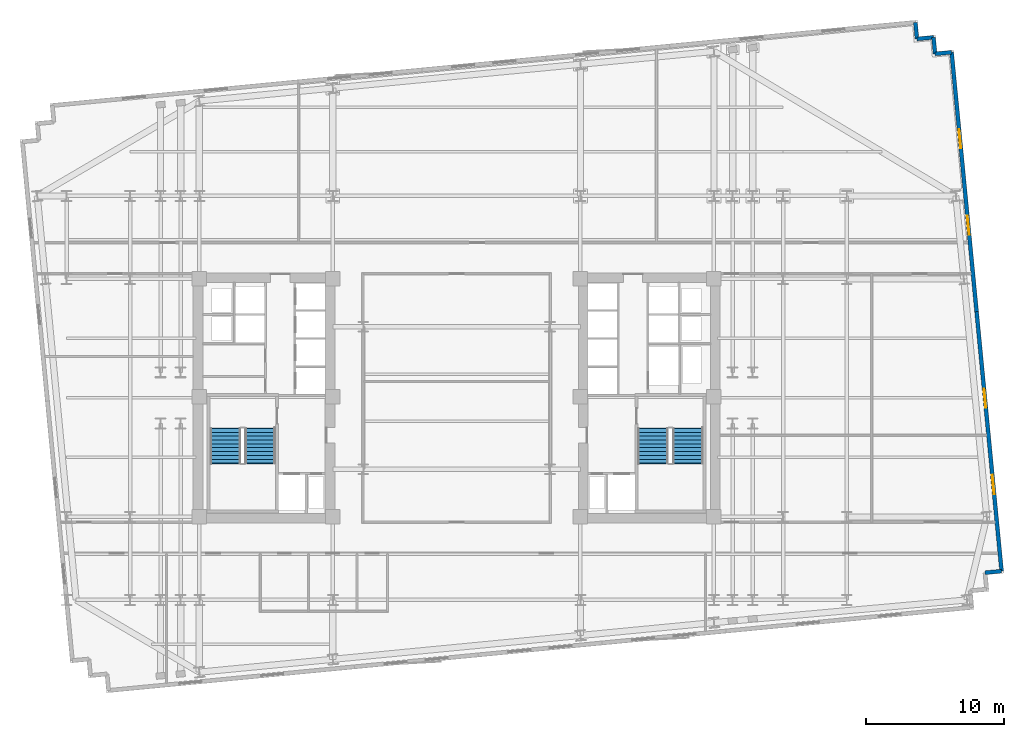
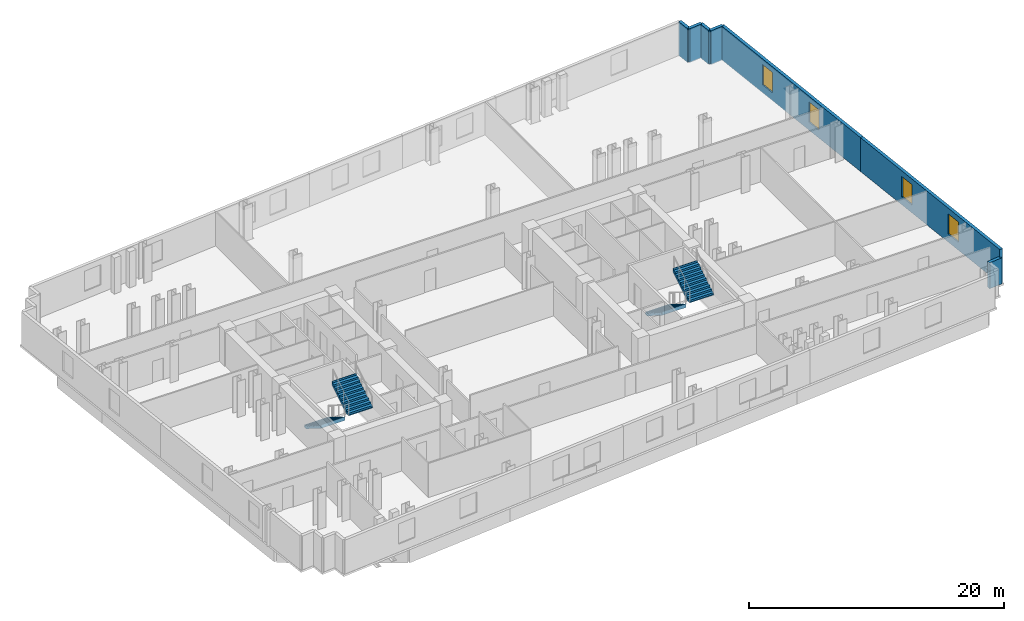
# One storey, part 8 of 10: 7 walls, 4 stair flights, 4 windows, 4 openings, 2 elements without a shape of their own.
"""IFC4 building model written with IfcOpenShell, lengths in metres."""

from ifc_helpers import new_model, si_unit, direction, frame, frame_2d, origin, place, context, subcontext, project, spatial, polyline, rectangle, outline, extrude, material, layer, layer_set, type_object, element, fill, aggregate, save


model = new_model("IFC4")

# Units and contexts
model_context = context("Model", 3, precision=1e-05, world=origin(), true_north=direction((0.0, 1.0)))
body_context = subcontext(model_context, "Body", "Model", "MODEL_VIEW")
ifc_project = project(units=[si_unit("LENGTHUNIT", "METRE"), si_unit("AREAUNIT", "SQUARE_METRE"), si_unit("VOLUMEUNIT", "CUBIC_METRE"), si_unit("PLANEANGLEUNIT", "RADIAN"), si_unit("MASSUNIT", "GRAM", prefix="KILO")], contexts=[model_context])

# Site, building, storey
site_placement = place(None, origin())
site = spatial("IfcSite", under=ifc_project, at=site_placement, CompositionType="ELEMENT")
building_placement = place(site_placement, origin())
building = spatial("IfcBuilding", under=site, at=building_placement, Name="Velakula Bourse", CompositionType="ELEMENT")
storey_placement = place(building_placement, frame((0.0, 0.0, 74.199951171875)))
storey = spatial("IfcBuildingStorey", under=building, at=storey_placement, Name="L19", CompositionType="ELEMENT", Elevation=74.199951171875)

# Wall, openings, windows
ifc_material_1 = material(Name="Red kilned clay facing brick masonry", Category="masonry")
ifc_layer_1 = layer(ifc_material_1, 0.280029296875, Name="Red kilned clay facing brick masonry", Category="masonry")
ifc_layer_set_1 = layer_set([ifc_layer_1], Name="Red kilned clay facing brick masonry")
wall_type = type_object("IfcWallType", Name="WL-EXT-BRK-280", PredefinedType="STANDARD", material=ifc_layer_set_1)
wall_1_placement = place(storey_placement, frame((37.584716796875, 6.23388671875, 0.0), z_axis=(0.0, 0.0, 1.0), x_axis=(0.095841297881, -0.99539662729, 0.0)))
wall_1 = element("IfcWall", 1, at=wall_1_placement, inside=storey, type_object=wall_type, Name="L19 E Brick End Wall W1", PredefinedType="STANDARD", context=body_context, shape_type="SweptSolid", body=[
    extrude(rectangle(XDim=18.840087890625, YDim=0.280029296875, at=frame_2d((9.419921875, 0.0))), origin(), (0.0, 0.0, 1.0), 3.25),
])
opening_1_placement = place(wall_1_placement, frame((5.580078125, 0.0, 0.760009765625)))
opening_1 = element("IfcOpeningElement", 2, at=opening_1_placement, cuts=wall_1, Name="Opening W-03", PredefinedType="OPENING", context=body_context, shape_type="SweptSolid", body=[
    extrude(rectangle(XDim=1.39990234375, YDim=1.949951171875, at=frame_2d((0.699951171875, 0.97509765625))), frame((0.0, 0.14990234375, 0.0), z_axis=(0.0, -1.0, 0.0), x_axis=(1.0, 0.0, 0.0)), (0.0, 0.0, 1.0), 0.300048828125),
])
opening_2_placement = place(wall_1_placement, frame((11.860107421875, 0.0, 0.760009765625)))
opening_2 = element("IfcOpeningElement", 3, at=opening_2_placement, cuts=wall_1, Name="Opening W-03", PredefinedType="OPENING", context=body_context, shape_type="SweptSolid", body=[
    extrude(rectangle(XDim=1.39990234375, YDim=1.949951171875, at=frame_2d((0.699951171875, 0.97509765625))), frame((0.0, 0.14990234375, 0.0), z_axis=(0.0, -1.0, 0.0), x_axis=(1.0, 0.0, 0.0)), (0.0, 0.0, 1.0), 0.300048828125),
])
ifc_material_2 = material(Name="Double-glazed solar-control Low-E glass", Category="glass")
window_type = type_object("IfcWindowType", Name="WIN-TWR-1400x2100", PartitioningType="SINGLE_PANEL", PredefinedType="WINDOW", material=ifc_material_2)
window_1_placement = place(opening_1_placement, origin())
window_1 = element("IfcWindow", 4, at=window_1_placement, inside=storey, type_object=window_type, Name="L19 Deep-Set Recessed Window 1", OverallHeight=1.949951171875, OverallWidth=1.39990234375, PartitioningType="SINGLE_PANEL", PredefinedType="WINDOW", context=body_context, shape_type="SweptSolid", body=[
    extrude(rectangle(XDim=1.39990234375, YDim=1.949951171875, at=frame_2d((0.699951171875, 0.97509765625))), frame((0.0, 0.030029296875, 0.0), z_axis=(0.0, -1.0, 0.0), x_axis=(1.0, 0.0, 0.0)), (0.0, 0.0, 1.0), 0.06005859375),
])
fill(opening_1, window_1)
window_2_placement = place(opening_2_placement, origin())
window_2 = element("IfcWindow", 5, at=window_2_placement, inside=storey, type_object=window_type, Name="L19 Deep-Set Recessed Window 2", OverallHeight=1.949951171875, OverallWidth=1.39990234375, PartitioningType="SINGLE_PANEL", PredefinedType="WINDOW", context=body_context, shape_type="SweptSolid", body=[
    extrude(rectangle(XDim=1.39990234375, YDim=1.949951171875, at=frame_2d((0.699951171875, 0.97509765625))), frame((0.0, 0.030029296875, 0.0), z_axis=(0.0, -1.0, 0.0), x_axis=(1.0, 0.0, 0.0)), (0.0, 0.0, 1.0), 0.06005859375),
])
fill(opening_2, window_2)

wall_2_placement = place(storey_placement, frame((35.779052734375, 24.987060546875, 0.0), z_axis=(0.0, 0.0, 1.0), x_axis=(0.095842534142, -0.995396508256, 0.0)))
wall_2 = element("IfcWall", 6, at=wall_2_placement, inside=storey, type_object=wall_type, Name="L19 E Brick End Wall W2", PredefinedType="STANDARD", context=body_context, shape_type="SweptSolid", body=[
    extrude(rectangle(XDim=18.83984375, YDim=0.280029296875, at=frame_2d((9.419921875, 0.0))), origin(), (0.0, 0.0, 1.0), 3.25),
])
opening_3_placement = place(wall_2_placement, frame((5.580078125, 0.0, 0.760009765625)))
opening_3 = element("IfcOpeningElement", 7, at=opening_3_placement, cuts=wall_2, Name="Opening W-03", PredefinedType="OPENING", context=body_context, shape_type="SweptSolid", body=[
    extrude(rectangle(XDim=1.39990234375, YDim=1.949951171875, at=frame_2d((0.699951171875, 0.97509765625))), frame((0.0, 0.14990234375, 0.0), z_axis=(0.0, -1.0, 0.0), x_axis=(1.0, 0.0, 0.0)), (0.0, 0.0, 1.0), 0.300048828125),
])
opening_4_placement = place(wall_2_placement, frame((11.860107421875, 0.0, 0.760009765625)))
opening_4 = element("IfcOpeningElement", 8, at=opening_4_placement, cuts=wall_2, Name="Opening W-03", PredefinedType="OPENING", context=body_context, shape_type="SweptSolid", body=[
    extrude(rectangle(XDim=1.39990234375, YDim=1.949951171875, at=frame_2d((0.699951171875, 0.97509765625))), frame((0.0, 0.14990234375, 0.0), z_axis=(0.0, -1.0, 0.0), x_axis=(1.0, 0.0, 0.0)), (0.0, 0.0, 1.0), 0.300048828125),
])
window_3_placement = place(opening_3_placement, origin())
window_3 = element("IfcWindow", 9, at=window_3_placement, inside=storey, type_object=window_type, Name="L19 Deep-Set Recessed Window 1", OverallHeight=1.949951171875, OverallWidth=1.39990234375, PartitioningType="SINGLE_PANEL", PredefinedType="WINDOW", context=body_context, shape_type="SweptSolid", body=[
    extrude(rectangle(XDim=1.39990234375, YDim=1.949951171875, at=frame_2d((0.699951171875, 0.97509765625))), frame((0.0, 0.030029296875, 0.0), z_axis=(0.0, -1.0, 0.0), x_axis=(1.0, 0.0, 0.0)), (0.0, 0.0, 1.0), 0.06005859375),
])
fill(opening_3, window_3)
window_4_placement = place(opening_4_placement, origin())
window_4 = element("IfcWindow", 10, at=window_4_placement, inside=storey, type_object=window_type, Name="L19 Deep-Set Recessed Window 2", OverallHeight=1.949951171875, OverallWidth=1.39990234375, PartitioningType="SINGLE_PANEL", PredefinedType="WINDOW", context=body_context, shape_type="SweptSolid", body=[
    extrude(rectangle(XDim=1.39990234375, YDim=1.949951171875, at=frame_2d((0.699951171875, 0.97509765625))), frame((0.0, 0.030029296875, 0.0), z_axis=(0.0, -1.0, 0.0), x_axis=(1.0, 0.0, 0.0)), (0.0, 0.0, 1.0), 0.06005859375),
])
fill(opening_4, window_4)

# Walls
wall_3_placement = place(storey_placement, frame((38.196044921875, -12.634521484375, 0.0), z_axis=(0.0, 0.0, 1.0), x_axis=(0.995397091755, 0.095836473879, 0.0)))
element("IfcWall", 11, at=wall_3_placement, inside=storey, type_object=wall_type, Name="L19 Serrated Corner Brick Wall SE-4", PredefinedType="STANDARD", context=body_context, shape_type="SweptSolid", body=[
    extrude(rectangle(XDim=1.199951171875, YDim=0.280029296875, at=frame_2d((0.60009765625, 0.0))), origin(), (0.0, 0.0, 1.0), 2.4951171875),
])
for number, where, z_axis, x_axis, name in (
    (12, (35.779052734375, 24.987060546875, 0.0), (0.0, 0.0, 1.0), (-0.995398960025, -0.095817067274, 0.0), "L19 Serrated Corner Brick Wall NE-1"),
    (13, (34.58447265625, 24.8720703125, 0.0), (0.0, 0.0, 1.0), (-0.095817067274, 0.995398960025, 0.0), "L19 Serrated Corner Brick Wall NE-2"),
    (14, (34.469482421875, 26.066650390625, 0.0), (0.0, 0.0, 1.0), (-0.995398960025, -0.095817067274, 0.0), "L19 Serrated Corner Brick Wall NE-3"),
):
    element("IfcWall", number, at=place(storey_placement, frame(where, z_axis=z_axis, x_axis=x_axis)), inside=storey, type_object=wall_type, Name=name, PredefinedType="STANDARD", context=body_context, shape_type="SweptSolid", body=[
        extrude(rectangle(XDim=1.2001953125, YDim=0.280029296875, at=frame_2d((0.60009765625, 0.0))), origin(), (0.0, 0.0, 1.0), 3.25),
    ])
wall_4_placement = place(storey_placement, frame((33.27490234375, 25.95166015625, 0.0), z_axis=(0.0, 0.0, 1.0), x_axis=(-0.095836473879, 0.995397091755, 0.0)))
element("IfcWall", 15, at=wall_4_placement, inside=storey, type_object=wall_type, Name="L19 Serrated Corner Brick Wall NE-4", PredefinedType="STANDARD", context=body_context, shape_type="SweptSolid", body=[
    extrude(rectangle(XDim=1.199951171875, YDim=0.280029296875, at=frame_2d((0.60009765625, 0.0))), origin(), (0.0, 0.0, 1.0), 3.25),
])

# Stair, stair flights
ifc_material_3 = material(Name="Concrete M45 (fck 45 MPa)", Category="concrete")
stair_type = type_object("IfcStairType", Name="STR-DOG-390", PredefinedType="HALF_TURN_STAIR", material=ifc_material_3)
stair_1_placement = place(storey_placement, origin())
stair_1 = element("IfcStair", 16, at=stair_1_placement, inside=storey, type_object=stair_type, Name="L19 West Core Exit Stair ST-W1", PredefinedType="HALF_TURN_STAIR")
ifc_layer_2 = layer(ifc_material_3, 0.195068359375, Name="Concrete M45 (fck 45 MPa)", Category="concrete")
ifc_layer_set_2 = layer_set([ifc_layer_2], Name="Concrete M45 (fck 45 MPa)")
stair_flight_type = type_object("IfcStairFlightType", Name="FLT-DOG-390", PredefinedType="STRAIGHT", material=ifc_layer_set_2)
stair_flight_1_placement = place(storey_placement, frame((-16.720947265625, -2.199951171875, 0.0), z_axis=(0.0, 0.0, 1.0), x_axis=(0.0, -1.0, 0.0)))
stair_flight_1 = element("IfcStairFlight", 17, at=stair_flight_1_placement, type_object=stair_flight_type, Name="ST-W1 flight 1", NumberOfRisers=10, NumberOfTreads=9, PredefinedType="STRAIGHT", RiserHeight=0.1725, TreadLength=0.28, context=body_context, shape_type="SweptSolid", body=[
    extrude(outline(polyline([(-0.044921875, -0.0400390625), (-0.044921875, -0.036865234375), (-0.044921875, -0.033935546875), (-0.044921875, -0.03076171875), (-0.044921875, -0.027587890625), (-0.044921875, -0.024658203125), (-0.044921875, -0.021484375), (-0.044921875, -0.0185546875), (-0.044921875, -0.015380859375), (-0.044921875, -0.01220703125), (-0.044921875, -0.00927734375), (-0.044921875, -0.006103515625), (-0.044921875, -0.003173828125), (-0.044921875, 0.0), (0.0, 0.0), (0.0, 0.172607421875), (0.280029296875, 0.172607421875), (0.280029296875, 0.344970703125), (0.56005859375, 0.344970703125), (0.56005859375, 0.517578125), (0.840087890625, 0.517578125), (0.840087890625, 0.68994140625), (1.1201171875, 0.68994140625), (1.1201171875, 0.862548828125), (1.39990234375, 0.862548828125), (1.39990234375, 1.034912109375), (1.679931640625, 1.034912109375), (1.679931640625, 1.20751953125), (1.9599609375, 1.20751953125), (1.9599609375, 1.3798828125), (2.239990234375, 1.3798828125), (2.239990234375, 1.552490234375), (2.52001953125, 1.552490234375), (2.52001953125, 1.72509765625), (2.56494140625, 1.72509765625), (2.56494140625, 1.7001953125), (2.56494140625, 1.67529296875), (2.56494140625, 1.650390625), (2.56494140625, 1.62548828125), (2.56494140625, 1.6005859375), (2.56494140625, 1.57568359375), (2.56494140625, 1.55078125), (2.56494140625, 1.52587890625), (2.56494140625, 1.5009765625), (2.56494140625, 1.47607421875), (2.56494140625, 1.451171875), (2.56494140625, 1.42626953125), (2.56494140625, 1.4013671875), (2.56494140625, 1.37646484375), (0.285888671875, -0.0400390625), (-0.044921875, -0.0400390625)])), frame((0.0, 1.09912109375, 0.0), z_axis=(0.0, -1.0, 0.0), x_axis=(1.0, 0.0, 0.0)), (0.0, 0.0, 1.0), 2.197998046875),
])
stair_flight_2_placement = place(storey_placement, frame((-14.198974609375, -4.719970703125, 1.72509765625), z_axis=(0.0, 0.0, 1.0), x_axis=(0.0, 1.0, 0.0)))
stair_flight_2 = element("IfcStairFlight", 18, at=stair_flight_2_placement, type_object=stair_flight_type, Name="ST-W1 flight 2", NumberOfRisers=10, NumberOfTreads=9, PredefinedType="STRAIGHT", RiserHeight=0.1725, TreadLength=0.28, context=body_context, shape_type="SweptSolid", body=[
    extrude(outline(polyline([(-0.044921875, -0.0400390625), (-0.044921875, -0.036865234375), (-0.044921875, -0.033935546875), (-0.044921875, -0.03076171875), (-0.044921875, -0.027587890625), (-0.044921875, -0.024658203125), (-0.044921875, -0.021484375), (-0.044921875, -0.0185546875), (-0.044921875, -0.015380859375), (-0.044921875, -0.01220703125), (-0.044921875, -0.00927734375), (-0.044921875, -0.006103515625), (-0.044921875, -0.003173828125), (-0.044921875, 0.0), (0.0, 0.0), (0.0, 0.172607421875), (0.280029296875, 0.172607421875), (0.280029296875, 0.344970703125), (0.56005859375, 0.344970703125), (0.56005859375, 0.517578125), (0.840087890625, 0.517578125), (0.840087890625, 0.68994140625), (1.1201171875, 0.68994140625), (1.1201171875, 0.862548828125), (1.39990234375, 0.862548828125), (1.39990234375, 1.034912109375), (1.679931640625, 1.034912109375), (1.679931640625, 1.20751953125), (1.9599609375, 1.20751953125), (1.9599609375, 1.3798828125), (2.239990234375, 1.3798828125), (2.239990234375, 1.552490234375), (2.52001953125, 1.552490234375), (2.52001953125, 1.72509765625), (2.56494140625, 1.72509765625), (2.56494140625, 1.7001953125), (2.56494140625, 1.67529296875), (2.56494140625, 1.650390625), (2.56494140625, 1.62548828125), (2.56494140625, 1.6005859375), (2.56494140625, 1.57568359375), (2.56494140625, 1.55078125), (2.56494140625, 1.52587890625), (2.56494140625, 1.5009765625), (2.56494140625, 1.47607421875), (2.56494140625, 1.451171875), (2.56494140625, 1.42626953125), (2.56494140625, 1.4013671875), (2.56494140625, 1.37646484375), (0.285888671875, -0.0400390625), (-0.044921875, -0.0400390625)])), frame((0.0, 1.09912109375, 0.0), z_axis=(0.0, -1.0, 0.0), x_axis=(1.0, 0.0, 0.0)), (0.0, 0.0, 1.0), 2.197998046875),
])
aggregate(stair_1, [stair_flight_1, stair_flight_2])

stair_2_placement = place(storey_placement, origin())
stair_2 = element("IfcStair", 19, at=stair_2_placement, inside=storey, type_object=stair_type, Name="L19 East Core Exit Stair ST-E1", PredefinedType="HALF_TURN_STAIR")
stair_flight_3_placement = place(storey_placement, frame((14.198974609375, -2.199951171875, 0.0), z_axis=(0.0, 0.0, 1.0), x_axis=(0.0, -1.0, 0.0)))
stair_flight_3 = element("IfcStairFlight", 20, at=stair_flight_3_placement, type_object=stair_flight_type, Name="ST-E1 flight 1", NumberOfRisers=10, NumberOfTreads=9, PredefinedType="STRAIGHT", RiserHeight=0.1725, TreadLength=0.28, context=body_context, shape_type="SweptSolid", body=[
    extrude(outline(polyline([(-0.044921875, -0.0400390625), (-0.044921875, -0.036865234375), (-0.044921875, -0.033935546875), (-0.044921875, -0.03076171875), (-0.044921875, -0.027587890625), (-0.044921875, -0.024658203125), (-0.044921875, -0.021484375), (-0.044921875, -0.0185546875), (-0.044921875, -0.015380859375), (-0.044921875, -0.01220703125), (-0.044921875, -0.00927734375), (-0.044921875, -0.006103515625), (-0.044921875, -0.003173828125), (-0.044921875, 0.0), (0.0, 0.0), (0.0, 0.172607421875), (0.280029296875, 0.172607421875), (0.280029296875, 0.344970703125), (0.56005859375, 0.344970703125), (0.56005859375, 0.517578125), (0.840087890625, 0.517578125), (0.840087890625, 0.68994140625), (1.1201171875, 0.68994140625), (1.1201171875, 0.862548828125), (1.39990234375, 0.862548828125), (1.39990234375, 1.034912109375), (1.679931640625, 1.034912109375), (1.679931640625, 1.20751953125), (1.9599609375, 1.20751953125), (1.9599609375, 1.3798828125), (2.239990234375, 1.3798828125), (2.239990234375, 1.552490234375), (2.52001953125, 1.552490234375), (2.52001953125, 1.72509765625), (2.56494140625, 1.72509765625), (2.56494140625, 1.7001953125), (2.56494140625, 1.67529296875), (2.56494140625, 1.650390625), (2.56494140625, 1.62548828125), (2.56494140625, 1.6005859375), (2.56494140625, 1.57568359375), (2.56494140625, 1.55078125), (2.56494140625, 1.52587890625), (2.56494140625, 1.5009765625), (2.56494140625, 1.47607421875), (2.56494140625, 1.451171875), (2.56494140625, 1.42626953125), (2.56494140625, 1.4013671875), (2.56494140625, 1.37646484375), (0.285888671875, -0.0400390625), (-0.044921875, -0.0400390625)])), frame((0.0, 1.09912109375, 0.0), z_axis=(0.0, -1.0, 0.0), x_axis=(1.0, 0.0, 0.0)), (0.0, 0.0, 1.0), 2.197998046875),
])
stair_flight_4_placement = place(storey_placement, frame((16.720947265625, -4.719970703125, 1.72509765625), z_axis=(0.0, 0.0, 1.0), x_axis=(0.0, 1.0, 0.0)))
stair_flight_4 = element("IfcStairFlight", 21, at=stair_flight_4_placement, type_object=stair_flight_type, Name="ST-E1 flight 2", NumberOfRisers=10, NumberOfTreads=9, PredefinedType="STRAIGHT", RiserHeight=0.1725, TreadLength=0.28, context=body_context, shape_type="SweptSolid", body=[
    extrude(outline(polyline([(-0.044921875, -0.0400390625), (-0.044921875, -0.036865234375), (-0.044921875, -0.033935546875), (-0.044921875, -0.03076171875), (-0.044921875, -0.027587890625), (-0.044921875, -0.024658203125), (-0.044921875, -0.021484375), (-0.044921875, -0.0185546875), (-0.044921875, -0.015380859375), (-0.044921875, -0.01220703125), (-0.044921875, -0.00927734375), (-0.044921875, -0.006103515625), (-0.044921875, -0.003173828125), (-0.044921875, 0.0), (0.0, 0.0), (0.0, 0.172607421875), (0.280029296875, 0.172607421875), (0.280029296875, 0.344970703125), (0.56005859375, 0.344970703125), (0.56005859375, 0.517578125), (0.840087890625, 0.517578125), (0.840087890625, 0.68994140625), (1.1201171875, 0.68994140625), (1.1201171875, 0.862548828125), (1.39990234375, 0.862548828125), (1.39990234375, 1.034912109375), (1.679931640625, 1.034912109375), (1.679931640625, 1.20751953125), (1.9599609375, 1.20751953125), (1.9599609375, 1.3798828125), (2.239990234375, 1.3798828125), (2.239990234375, 1.552490234375), (2.52001953125, 1.552490234375), (2.52001953125, 1.72509765625), (2.56494140625, 1.72509765625), (2.56494140625, 1.7001953125), (2.56494140625, 1.67529296875), (2.56494140625, 1.650390625), (2.56494140625, 1.62548828125), (2.56494140625, 1.6005859375), (2.56494140625, 1.57568359375), (2.56494140625, 1.55078125), (2.56494140625, 1.52587890625), (2.56494140625, 1.5009765625), (2.56494140625, 1.47607421875), (2.56494140625, 1.451171875), (2.56494140625, 1.42626953125), (2.56494140625, 1.4013671875), (2.56494140625, 1.37646484375), (0.285888671875, -0.0400390625), (-0.044921875, -0.0400390625)])), frame((0.0, 1.09912109375, 0.0), z_axis=(0.0, -1.0, 0.0), x_axis=(1.0, 0.0, 0.0)), (0.0, 0.0, 1.0), 2.197998046875),
])
aggregate(stair_2, [stair_flight_3, stair_flight_4])

save(model, "model.ifc")
